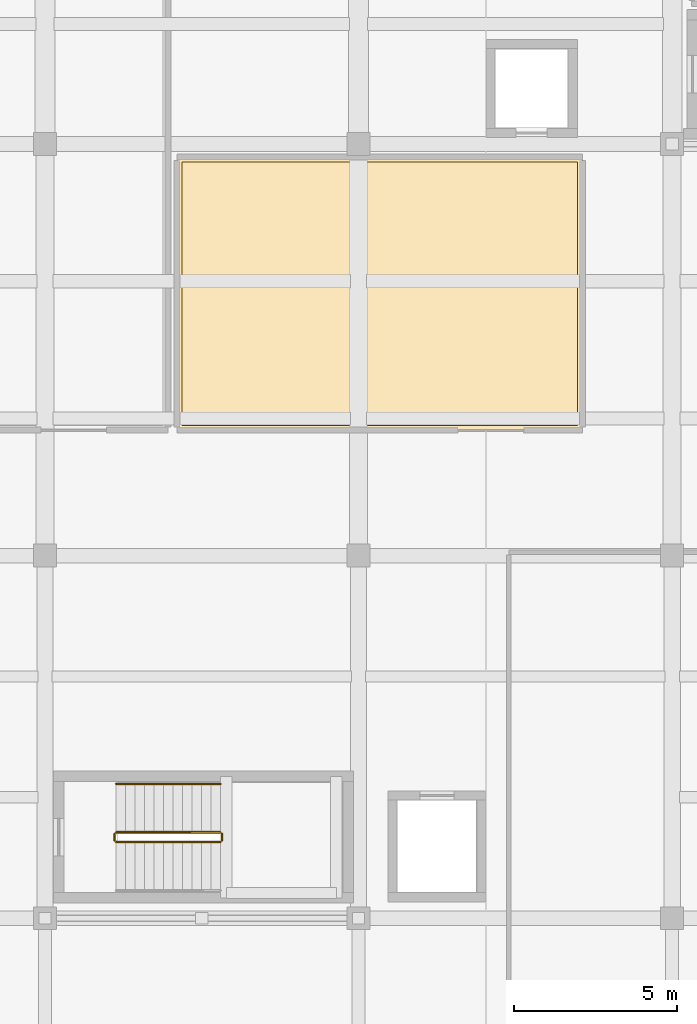
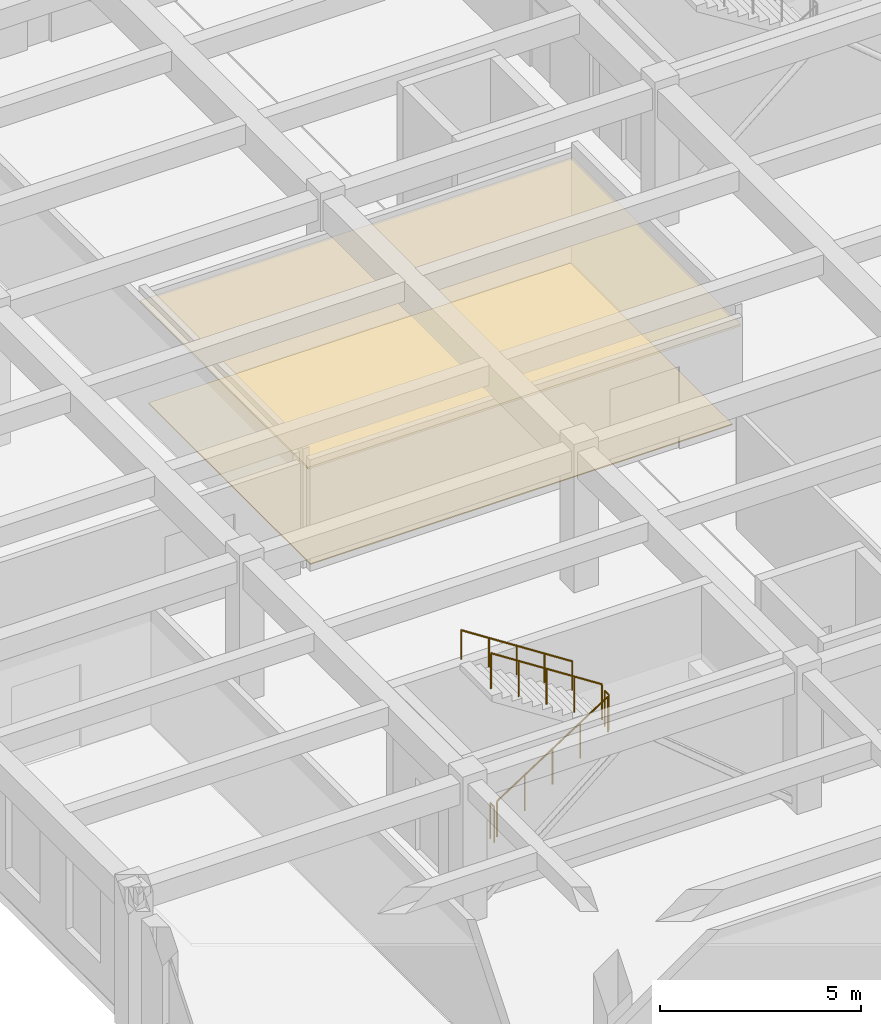
# One storey, part 83 of 91: 5 railings, 2 coverings.
"""IFC4 building model written with IfcOpenShell, lengths in metres."""

from ifc_helpers import new_model, si_unit, direction, frame, origin, origin_2d, place, context, subcontext, project, spatial, polyline, circle, outline, extrude, material, layer, layer_set, type_object, element, save


model = new_model("IFC4")

# Units and contexts
model_context = context("Model", 3, precision=1e-05, world=origin(), true_north=direction((0.0, 1.0)))
body_context = subcontext(model_context, "Body", "Model", "MODEL_VIEW")
ifc_project = project(units=[si_unit("LENGTHUNIT", "METRE"), si_unit("AREAUNIT", "SQUARE_METRE"), si_unit("VOLUMEUNIT", "CUBIC_METRE"), si_unit("PLANEANGLEUNIT", "RADIAN"), si_unit("MASSUNIT", "GRAM", prefix="KILO")], contexts=[model_context])

# Site, building, storey
site_placement = place(None, origin())
site = spatial("IfcSite", under=ifc_project, at=site_placement, CompositionType="ELEMENT")
building_placement = place(site_placement, origin())
building = spatial("IfcBuilding", under=site, at=building_placement, Name="Tarnavel Promenade Courthouse", CompositionType="ELEMENT")
storey_placement = place(building_placement, frame((0.0, 0.0, 9.89990234375)))
storey = spatial("IfcBuildingStorey", under=building, at=storey_placement, Name="L03", CompositionType="ELEMENT", Elevation=9.89990234375)

# Railing
ifc_material_1 = material(Name="Brushed Bronze Tubular Stair Handrail")
railing_type_1 = type_object("IfcRailingType", Name="Brushed Bronze Tubular Stair Handrail (RL-HND-0900)", PredefinedType="HANDRAIL", material=ifc_material_1)
railing_1_placement = place(storey_placement, frame((14.969970703125, 78.510009765625, 2.4375)))
element("IfcRailing", 1, at=railing_1_placement, inside=storey, type_object=railing_type_1, Name="L03 ST-04 stair handrail 2", PredefinedType="HANDRAIL", context=body_context, shape_type="SweptSolid", body=[
    extrude(circle(Radius=0.02392578125, at=origin_2d()), frame((0.0, 0.0, 0.8759765625), z_axis=(-0.839759782654, 0.0, 0.542958108362), x_axis=(0.0, -1.0, 0.0)), (0.0, 0.0, 1.0), 3.798583984375),
    extrude(circle(Radius=0.02099609375, at=origin_2d()), origin(), (0.0, 0.0, 1.0), 0.851806640625),
    extrude(circle(Radius=0.02099609375, at=origin_2d()), frame((-0.79736328125, 0.0, 0.515625)), (0.0, 0.0, 1.0), 0.851806640625),
    extrude(circle(Radius=0.02099609375, at=origin_2d()), frame((-1.594970703125, 0.0, 1.03125)), (0.0, 0.0, 1.0), 0.851806640625),
    extrude(circle(Radius=0.02099609375, at=origin_2d()), frame((-2.392578125, 0.0, 1.546875)), (0.0, 0.0, 1.0), 0.851806640625),
    extrude(circle(Radius=0.02099609375, at=origin_2d()), frame((-3.18994140625, 0.0, 2.0625)), (0.0, 0.0, 1.0), 0.851806640625),
])

# Covering
ifc_material_2 = material(Name="Engineered Smoked Oak Courtroom & Chambers Parquet")
ifc_layer_1 = layer(ifc_material_2, 0.031982421875)
ifc_layer_set_1 = layer_set([ifc_layer_1], Name="Engineered Smoked Oak Courtroom & Chambers Parquet")
covering_type_1 = type_object("IfcCoveringType", Name="Engineered Smoked Oak Courtroom & Chambers Parquet (COV-FLR-OAK-32)", PredefinedType="FLOORING", material=ifc_layer_set_1)
covering_1_placement = place(storey_placement, origin())
element("IfcCovering", 2, at=covering_1_placement, inside=storey, type_object=covering_type_1, Name="L03 Criminal Assize Courtroom B Architectural Flooring 0017", PredefinedType="FLOORING", context=body_context, shape_type="SweptSolid", body=[
    extrude(outline(polyline([(13.7900390625, 89.489990234375), (25.909912109375, 89.489990234375), (25.909912109375, 97.550048828125), (13.7900390625, 97.550048828125), (13.7900390625, 89.489990234375)])), origin(), (0.0, 0.0, 1.0), 0.031982421875),
])

# Railings
ifc_material_3 = material(Name="Painted Architectural Steel Core Stair Guardrail", Category="steel")
railing_type_2 = type_object("IfcRailingType", Name="Painted Architectural Steel Core Stair Guardrail (RL-GRD-1100)", PredefinedType="GUARDRAIL", material=ifc_material_3)
railing_2_placement = place(storey_placement, frame((11.780029296875, 76.72998046875, 0.1875)))
element("IfcRailing", 3, at=railing_2_placement, inside=storey, type_object=railing_type_2, Name="L03 ST-04 stair guard 1", PredefinedType="GUARDRAIL", context=body_context, shape_type="SweptSolid", body=[
    extrude(circle(Radius=0.02392578125, at=origin_2d()), frame((0.0, 0.0, 1.076171875), z_axis=(0.839759782654, 0.0, 0.542958108362), x_axis=(0.0, 1.0, 0.0)), (0.0, 0.0, 1.0), 3.798583984375),
    extrude(circle(Radius=0.02099609375, at=origin_2d()), origin(), (0.0, 0.0, 1.0), 1.052001953125),
    extrude(circle(Radius=0.02099609375, at=origin_2d()), frame((0.79736328125, 0.0, 0.515625)), (0.0, 0.0, 1.0), 1.052001953125),
    extrude(circle(Radius=0.02099609375, at=origin_2d()), frame((1.594970703125, 0.0, 1.03125)), (0.0, 0.0, 1.0), 1.052001953125),
    extrude(circle(Radius=0.02099609375, at=origin_2d()), frame((2.392578125, 0.0, 1.546875)), (0.0, 0.0, 1.0), 1.052001953125),
    extrude(circle(Radius=0.02099609375, at=origin_2d()), frame((3.18994140625, 0.0, 2.0625)), (0.0, 0.0, 1.0), 1.052001953125),
])
railing_3_placement = place(storey_placement, frame((15.02001953125, 76.780029296875, 2.25)))
element("IfcRailing", 4, at=railing_3_placement, inside=storey, type_object=railing_type_2, Name="L03 ST-04 stair guard 2", PredefinedType="GUARDRAIL", context=body_context, shape_type="SweptSolid", body=[
    extrude(circle(Radius=0.02392578125, at=origin_2d()), frame((0.0, 0.0, 1.076171875), z_axis=(0.0, 1.0, 0.0), x_axis=(-1.0, 0.0, 0.0)), (0.0, 0.0, 1.0), 0.199951171875),
    extrude(circle(Radius=0.02099609375, at=origin_2d()), origin(), (0.0, 0.0, 1.0), 1.052001953125),
    extrude(circle(Radius=0.02099609375, at=origin_2d()), frame((0.0, 0.199951171875, 0.0)), (0.0, 0.0, 1.0), 1.052001953125),
])
railing_4_placement = place(storey_placement, frame((14.969970703125, 77.030029296875, 2.4375)))
element("IfcRailing", 5, at=railing_4_placement, inside=storey, type_object=railing_type_2, Name="L03 ST-04 stair guard 3", PredefinedType="GUARDRAIL", context=body_context, shape_type="SweptSolid", body=[
    extrude(circle(Radius=0.02392578125, at=origin_2d()), frame((0.0, 0.0, 1.076171875), z_axis=(-0.839759782654, 0.0, 0.542958108362), x_axis=(0.0, -1.0, 0.0)), (0.0, 0.0, 1.0), 3.798583984375),
    extrude(circle(Radius=0.02099609375, at=origin_2d()), origin(), (0.0, 0.0, 1.0), 1.052001953125),
    extrude(circle(Radius=0.02099609375, at=origin_2d()), frame((-0.79736328125, 0.0, 0.515625)), (0.0, 0.0, 1.0), 1.052001953125),
    extrude(circle(Radius=0.02099609375, at=origin_2d()), frame((-1.594970703125, 0.0, 1.03125)), (0.0, 0.0, 1.0), 1.052001953125),
    extrude(circle(Radius=0.02099609375, at=origin_2d()), frame((-2.392578125, 0.0, 1.546875)), (0.0, 0.0, 1.0), 1.052001953125),
    extrude(circle(Radius=0.02099609375, at=origin_2d()), frame((-3.18994140625, 0.0, 2.0625)), (0.0, 0.0, 1.0), 1.052001953125),
])
railing_5_placement = place(storey_placement, frame((11.72998046875, 76.780029296875, 0.0)))
element("IfcRailing", 6, at=railing_5_placement, inside=storey, type_object=railing_type_2, Name="L03 ST-04 stair guard 4", PredefinedType="GUARDRAIL", context=body_context, shape_type="SweptSolid", body=[
    extrude(circle(Radius=0.02392578125, at=origin_2d()), frame((0.0, 0.0, 1.076171875), z_axis=(0.0, 1.0, 0.0), x_axis=(-1.0, 0.0, 0.0)), (0.0, 0.0, 1.0), 0.199951171875),
    extrude(circle(Radius=0.02099609375, at=origin_2d()), origin(), (0.0, 0.0, 1.0), 1.052001953125),
    extrude(circle(Radius=0.02099609375, at=origin_2d()), frame((0.0, 0.199951171875, 0.0)), (0.0, 0.0, 1.0), 1.052001953125),
])

# Covering
ifc_material_4 = material(Name="Slatted Acoustic White Oak Baffle Ceiling")
ifc_layer_2 = layer(ifc_material_4, 0.06494140625)
ifc_layer_set_2 = layer_set([ifc_layer_2], Name="Slatted Acoustic White Oak Baffle Ceiling")
covering_type_2 = type_object("IfcCoveringType", Name="Slatted Acoustic White Oak Baffle Ceiling (COV-CLG-OAK-65)", PredefinedType="CEILING", material=ifc_layer_set_2)
covering_2_placement = place(storey_placement, frame((0.0, 0.0, 3.03515625)))
element("IfcCovering", 7, at=covering_2_placement, inside=storey, type_object=covering_type_2, Name="L03 Criminal Assize Courtroom B Acoustic Ceiling 0017", PredefinedType="CEILING", context=body_context, shape_type="SweptSolid", body=[
    extrude(outline(polyline([(13.639892578125, 89.340087890625), (26.06005859375, 89.340087890625), (26.06005859375, 97.699951171875), (13.639892578125, 97.699951171875), (13.639892578125, 89.340087890625)])), origin(), (0.0, 0.0, 1.0), 0.06494140625),
])

save(model, "model.ifc")
